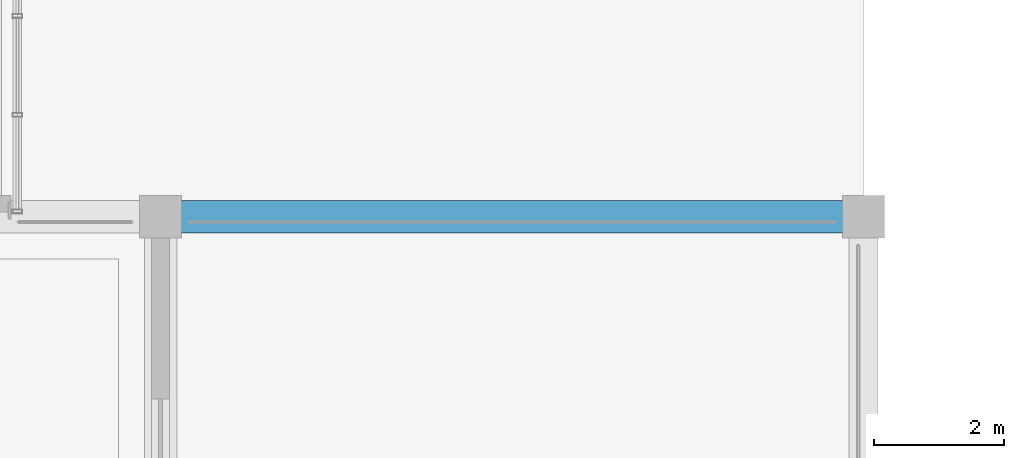
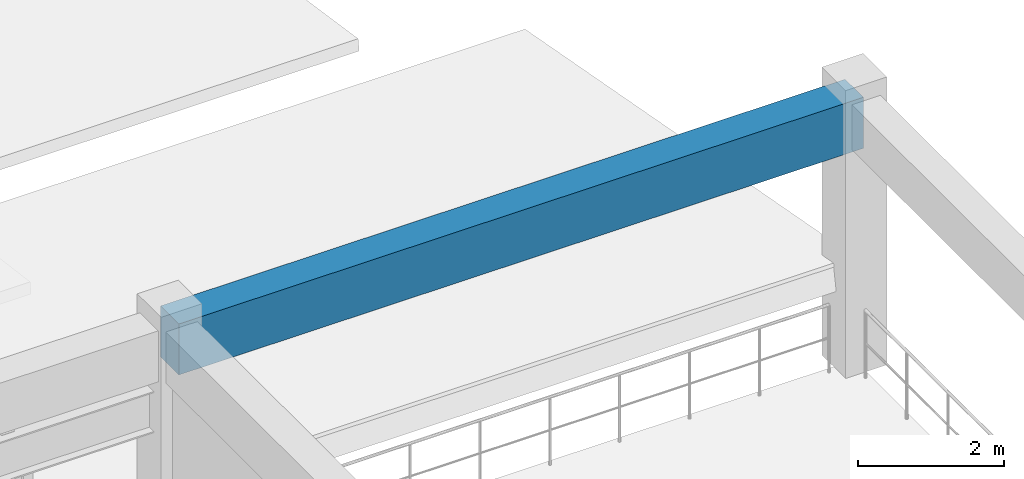
# One storey, part 14 of 104: 1 beam.
"""IFC4 building model written with IfcOpenShell, lengths in metres."""

from ifc_helpers import new_model, si_unit, direction, frame, origin, origin_2d, place, context, subcontext, project, spatial, rectangle, extrude, material, material_profile, profile_set, type_object, element, save


model = new_model("IFC4")

# Units and contexts
model_context = context("Model", 3, precision=1e-05, world=origin(), true_north=direction((0.0, 1.0)))
body_context = subcontext(model_context, "Body", "Model", "MODEL_VIEW")
ifc_project = project(units=[si_unit("LENGTHUNIT", "METRE"), si_unit("AREAUNIT", "SQUARE_METRE"), si_unit("VOLUMEUNIT", "CUBIC_METRE"), si_unit("PLANEANGLEUNIT", "RADIAN"), si_unit("MASSUNIT", "GRAM", prefix="KILO")], contexts=[model_context])

# Site, building, storey
site_placement = place(None, origin())
site = spatial("IfcSite", under=ifc_project, at=site_placement, CompositionType="ELEMENT")
building_placement = place(site_placement, origin())
building = spatial("IfcBuilding", under=site, at=building_placement, Name="Ventoquebrada Cableway Terminal", CompositionType="ELEMENT")
storey_placement = place(building_placement, frame((0.0, 0.0, 4.800048828125)))
storey = spatial("IfcBuildingStorey", under=building, at=storey_placement, Name="L01", CompositionType="ELEMENT", Elevation=4.800048828125)

# Beam
ifc_material = material(Name="Concrete C40/50", Category="concrete")
ifc_material_profile = material_profile(ifc_material, rectangle(XDim=0.5, YDim=0.85009765625, at=origin_2d()), Name="RC-BM-500X850")
ifc_profile_set = profile_set([ifc_material_profile], Name="Concrete C40/50")
beam_type = type_object("IfcBeamType", Name="BM-RC04", PredefinedType="BEAM", material=ifc_profile_set)
beam_placement = place(storey_placement, frame((26.199951171875, 47.0, 4.10498046875), z_axis=(1.0, 0.0, 0.0), x_axis=(0.0, 1.0, 0.0)))
element("IfcBeam", 1, at=beam_placement, inside=storey, type_object=beam_type, Name="Primary frame girder FBM-0171", PredefinedType="BEAM", context=body_context, shape_type="SweptSolid", body=[
    extrude(rectangle(XDim=0.5, YDim=0.85009765625, at=origin_2d()), origin(), (0.0, 0.0, 1.0), 10.800048828125),
])

save(model, "model.ifc")
